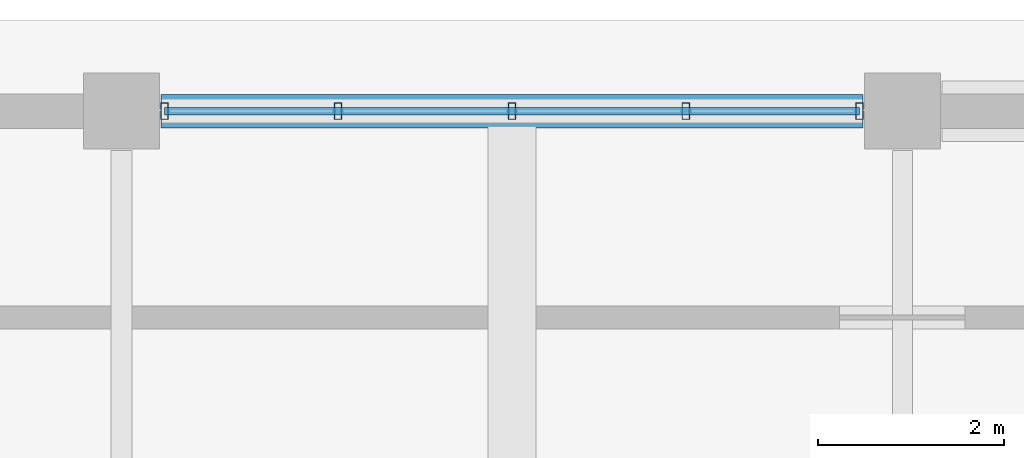
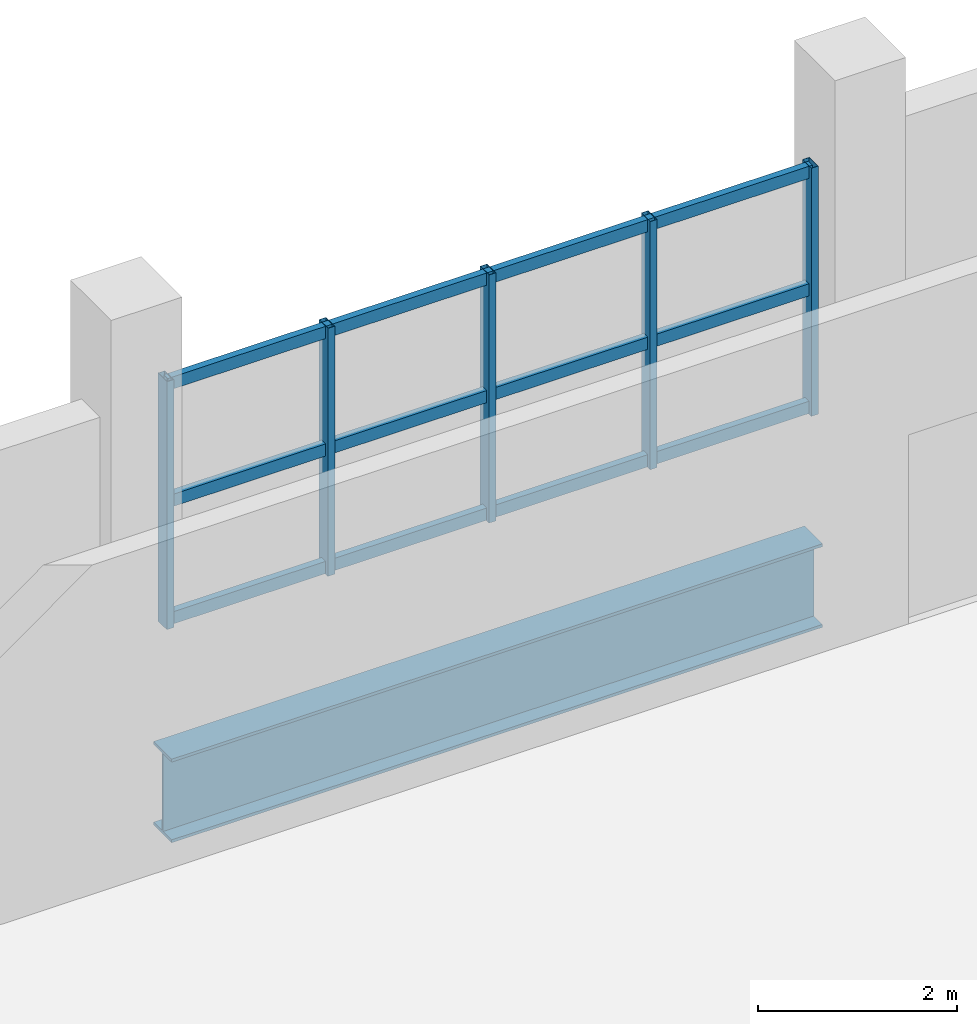
# One storey, part 67 of 107: 8 members, 1 beam, 1 element without a shape of its own.
"""IFC4 building model written with IfcOpenShell, lengths in metres."""

import ifcopenshell
import ifcopenshell.guid

model = None  # the IFC model being written
_history = None  # IfcOwnerHistory: only IFC2X3 demands one
_inside = {}  # id of a spatial element -> (the spatial element, [elements in it])
_under = {}  # id of a project, library or spatial element -> (it, [spatial elements below it])
_declared = {}  # id of a project -> (the project, [libraries it declares])
_typed = {}  # id of a type object -> (the type object, [elements of that type])
_made_of = {}  # id of a material, layer set ... -> (it, [elements and type objects made of it])


def new_model(schema):
    """Start an empty IFC model of exactly this schema.

    Asked for "IFC4X3", IfcOpenShell would pick the latest addendum, in which some entities
    have other attributes; the version numbers below select the first issue.
    IFC2X3 requires an IfcOwnerHistory on every rooted entity: one is made here for all.
    """
    global model, _history
    if schema == "IFC4X3":
        model = ifcopenshell.file(schema_version=(4, 3, 0, 0))
    else:
        model = ifcopenshell.file(schema=schema)
    _inside.clear()
    _under.clear()
    _declared.clear()
    _typed.clear()
    _made_of.clear()
    _history = None
    if model.schema == "IFC2X3":
        org = make("IfcOrganization", Name="unknown")
        user = make(
            "IfcPersonAndOrganization",
            ThePerson=make("IfcPerson", FamilyName="unknown"),
            TheOrganization=org,
        )
        app = make(
            "IfcApplication",
            ApplicationDeveloper=org,
            Version="unknown",
            ApplicationFullName="unknown",
            ApplicationIdentifier="unknown",
        )
        _history = make(
            "IfcOwnerHistory",
            OwningUser=user,
            OwningApplication=app,
            ChangeAction="ADDED",
            CreationDate=0,
        )
    return model


def make(cls, **values):
    """One entity of the class cls with the attributes given. An attribute that is None is left unset."""
    return model.create_entity(
        cls, **{name: value for name, value in values.items() if value is not None}
    )


def rooted(cls, **values):
    """An entity with a GlobalId (a new one), such as an element, a storey or a relation."""
    return make(cls, GlobalId=ifcopenshell.guid.new(), OwnerHistory=_history, **values)


def si_unit(unit_type, name, prefix=None):
    """IfcSIUnit, for example si_unit("LENGTHUNIT", "METRE", prefix="MILLI")."""
    return make("IfcSIUnit", UnitType=unit_type, Prefix=prefix, Name=name)


def assignment(units):
    """IfcUnitAssignment: the units of a project."""
    return None if units is None else make("IfcUnitAssignment", Units=units)


def point(xyz):
    """IfcCartesianPoint."""
    return None if xyz is None else make("IfcCartesianPoint", Coordinates=xyz)


def direction(xyz):
    """IfcDirection."""
    return None if xyz is None else make("IfcDirection", DirectionRatios=xyz)


def frame(location, z_axis=None, x_axis=None):
    """IfcAxis2Placement3D, a coordinate frame: its origin and axes. An axis left out is left unset."""
    return make(
        "IfcAxis2Placement3D",
        Location=point(location),
        Axis=direction(z_axis),
        RefDirection=direction(x_axis),
    )


def frame_2d(location, x_axis=None):
    """IfcAxis2Placement2D, a coordinate frame in the plane: its origin and x axis."""
    return make(
        "IfcAxis2Placement2D", Location=point(location), RefDirection=direction(x_axis)
    )


def origin():
    """The frame at (0, 0, 0) with its axes left unset."""
    return frame((0.0, 0.0, 0.0))


def origin_2d():
    """The frame at (0, 0) in the plane with its x axis left unset."""
    return frame_2d((0.0, 0.0))


def place(relative_to, where):
    """IfcLocalPlacement: puts the frame where relative to a parent placement (None: the world)."""
    return make(
        "IfcLocalPlacement", PlacementRelTo=relative_to, RelativePlacement=where
    )


def context(
    kind, dimensions, precision=None, world=None, true_north=None, identifier=None
):
    """IfcGeometricRepresentationContext, for example the 3D "Model" context."""
    return make(
        "IfcGeometricRepresentationContext",
        ContextIdentifier=identifier,
        ContextType=kind,
        CoordinateSpaceDimension=dimensions,
        Precision=precision,
        WorldCoordinateSystem=world,
        TrueNorth=true_north,
    )


def subcontext(parent, identifier, kind, view, scale=None):
    """IfcGeometricRepresentationSubContext, for example "Body" below "Model"."""
    return make(
        "IfcGeometricRepresentationSubContext",
        ContextIdentifier=identifier,
        ContextType=kind,
        ParentContext=parent,
        TargetScale=scale,
        TargetView=view,
    )


def project(units=None, contexts=None):
    """IfcProject with its units and contexts."""
    return rooted(
        "IfcProject",
        Name="project",
        RepresentationContexts=contexts,
        UnitsInContext=assignment(units),
    )


def spatial(cls, under=None, at=None, **own):
    """A site, building, storey or space (cls), placed at a placement, below another one or the project."""
    s = rooted(cls, ObjectPlacement=at, **own)
    if under is not None:
        _under.setdefault(under.id(), (under, []))[1].append(s)
    return s


def profile(cls, at=None, kind="AREA", **sizes):
    """A parametric profile (cls). Its sizes go by their IFC names, for example OverallWidth=200.0."""
    return make(cls, ProfileType=kind, Position=at, **sizes)


def hollow_rectangle(**sizes):
    """IfcRectangleHollowProfileDef."""
    return profile("IfcRectangleHollowProfileDef", **sizes)


def i_section(**sizes):
    """IfcIShapeProfileDef."""
    return profile("IfcIShapeProfileDef", **sizes)


def extrude(swept, where, along, depth):
    """IfcExtrudedAreaSolid: the profile swept, set in the frame where, extruded along a direction by depth."""
    return make(
        "IfcExtrudedAreaSolid",
        SweptArea=swept,
        Position=where,
        ExtrudedDirection=direction(along),
        Depth=depth,
    )


def shape(context_of_items, identifier, shape_type, items):
    """IfcShapeRepresentation: the items that make up one representation, for example the "Body"."""
    return make(
        "IfcShapeRepresentation",
        ContextOfItems=context_of_items,
        RepresentationIdentifier=identifier,
        RepresentationType=shape_type,
        Items=items,
    )


def material(Name=None, Category=None):
    """IfcMaterial."""
    return make("IfcMaterial", Name=Name, Category=Category)


def material_profile(
    of_material, cross_section, Name=None, Category=None, Priority=None
):
    """IfcMaterialProfile: a cross section and its material."""
    return make(
        "IfcMaterialProfile",
        Name=Name,
        Material=of_material,
        Profile=cross_section,
        Priority=Priority,
        Category=Category,
    )


def profile_set(profiles, Name=None, composite=None):
    """IfcMaterialProfileSet."""
    return make(
        "IfcMaterialProfileSet",
        Name=Name,
        MaterialProfiles=profiles,
        CompositeProfile=composite,
    )


def made_of(thing, what):
    """Note that an element or type object is made of a material, layer set ...; save() writes the relation."""
    if what is not None:
        _made_of.setdefault(what.id(), (what, []))[1].append(thing)
    return thing


def type_object(cls, material=None, **own):
    """A type object (cls), such as IfcWallType, which elements share."""
    return made_of(rooted(cls, **own), material)


def element(
    cls,
    number,
    at=None,
    inside=None,
    cuts=None,
    type_object=None,
    material=None,
    context=None,
    identifier="Body",
    shape_type=None,
    held_by="IfcProductDefinitionShape",
    body=None,
    shapes=None,
    **own,
):
    """One element of the class cls, such as IfcWall. Its Tag is "e" and its number.

    at: its placement. inside: the storey or other place that contains it. cuts: it is an
    opening in that element (IfcRelVoidsElement). A single representation is given by context,
    identifier, shape_type and body (its items); several are given by shapes. held_by: the class
    of the entity that holds the representations. save() writes the other relations.
    """
    e = rooted(cls, Tag="e%d" % number, ObjectPlacement=at, **own)
    if body is not None:
        shapes = [shape(context, identifier, shape_type, body)]
    if shapes is not None:
        e.Representation = make(held_by, Representations=shapes)
    if inside is not None:
        _inside.setdefault(inside.id(), (inside, []))[1].append(e)
    if cuts is not None:
        rooted(
            "IfcRelVoidsElement", RelatingBuildingElement=cuts, RelatedOpeningElement=e
        )
    if type_object is not None:
        _typed.setdefault(type_object.id(), (type_object, []))[1].append(e)
    return made_of(e, material)


def aggregate(whole, parts):
    """IfcRelAggregates: a whole, such as a stair, and the parts it consists of."""
    return rooted("IfcRelAggregates", RelatingObject=whole, RelatedObjects=parts)


def save(model, path):
    """Write the relations noted so far, then the file.

    IfcRelAggregates (storeys below a building ...), IfcRelContainedInSpatialStructure (elements
    in a storey), IfcRelDefinesByType, IfcRelAssociatesMaterial and IfcRelDeclares: one each for
    every whole, place, type object, material and project.
    """
    for whole, parts in _under.values():
        aggregate(whole, parts)
    for where, things in _inside.values():
        rooted(
            "IfcRelContainedInSpatialStructure",
            RelatedElements=things,
            RelatingStructure=where,
        )
    for kind, things in _typed.values():
        rooted("IfcRelDefinesByType", RelatedObjects=things, RelatingType=kind)
    for what, things in _made_of.values():
        rooted("IfcRelAssociatesMaterial", RelatedObjects=things, RelatingMaterial=what)
    for by, libraries in _declared.values():
        rooted("IfcRelDeclares", RelatingContext=by, RelatedDefinitions=libraries)
    model.write(path)


model = new_model("IFC4")

# Units and contexts
model_context = context("Model", 3, precision=1e-05, world=origin(), true_north=direction((0.0, 1.0)))
body_context = subcontext(model_context, "Body", "Model", "MODEL_VIEW")
ifc_project = project(units=[si_unit("LENGTHUNIT", "METRE"), si_unit("AREAUNIT", "SQUARE_METRE"), si_unit("VOLUMEUNIT", "CUBIC_METRE"), si_unit("PLANEANGLEUNIT", "RADIAN"), si_unit("MASSUNIT", "GRAM", prefix="KILO")], contexts=[model_context])

# Site, building, storey
site_placement = place(None, origin())
site = spatial("IfcSite", under=ifc_project, at=site_placement, CompositionType="ELEMENT")
building_placement = place(site_placement, origin())
building = spatial("IfcBuilding", under=site, at=building_placement, Name="Solvento Point Concert Hall", CompositionType="ELEMENT")
storey_placement = place(building_placement, origin())
storey = spatial("IfcBuildingStorey", under=building, at=storey_placement, Name="L00", CompositionType="ELEMENT", Elevation=0.0)

# Beam
ifc_material_1 = material(Name="Structural Steel ASTM A992 Grade 50", Category="steel")
ifc_material_profile_1 = material_profile(ifc_material_1, i_section(OverallWidth=0.361083984375, OverallDepth=1.02587890625, WebThickness=0.01904296875, FlangeThickness=0.0361328125, at=origin_2d()), Name="W40X249")
ifc_profile_set_1 = profile_set([ifc_material_profile_1], Name="Structural Steel ASTM A992 Grade 50")
beam_type = type_object("IfcBeamType", Name="Girder_W40X249", PredefinedType="USERDEFINED", material=ifc_profile_set_1)
beam_placement = place(storey_placement, frame((32.823974609375, 136.0, -0.927001953125), z_axis=(1.0, 0.0, 0.0), x_axis=(0.0, 1.0, 0.0)))
element("IfcBeam", 1, at=beam_placement, inside=storey, type_object=beam_type, Name="Primary girder B-29 L00", ObjectType="GIRDER", PredefinedType="USERDEFINED", context=body_context, shape_type="SweptSolid", body=[
    extrude(i_section(OverallWidth=0.361083984375, OverallDepth=1.02587890625, WebThickness=0.01904296875, FlangeThickness=0.0361328125, at=origin_2d()), origin(), (0.0, 0.0, 1.0), 7.552001953125),
])

# Curtain wall, members
ifc_material_2 = material(Name="Anodized Bronze Aluminium", Category="aluminium")
curtain_wall_type = type_object("IfcCurtainWallType", Name="CurtainWall_CourtPilotis", PredefinedType="USERDEFINED", material=ifc_material_2)
curtain_wall_placement = place(storey_placement, origin())
curtain_wall = element("IfcCurtainWall", 2, at=curtain_wall_placement, inside=storey, type_object=curtain_wall_type, Name="Unitised curtain wall CW-96 UCW-L00-029", ObjectType="UNITISED CURTAIN WALL", PredefinedType="USERDEFINED")
ifc_material_3 = material(Name="Anodized Bronze Aluminium", Category="aluminium")
ifc_material_profile_2 = material_profile(ifc_material_3, hollow_rectangle(XDim=0.080078125, YDim=0.179931640625, WallThickness=0.00390625, at=origin_2d()), Name="CW-MUL-80X180")
ifc_profile_set_2 = profile_set([ifc_material_profile_2], Name="Anodized Bronze Aluminium")
member_type_1 = type_object("IfcMemberType", Name="Mullion_80x180", PredefinedType="MULLION", material=ifc_profile_set_2)
member_1_placement = place(storey_placement, frame((32.860107421875, 136.0, 1.1201171875), z_axis=(0.0, 0.0, 1.0), x_axis=(1.0, 0.0, 0.0)))
member_1 = element("IfcMember", 3, at=member_1_placement, type_object=member_type_1, Name="Curtain wall mullion ML-01", PredefinedType="MULLION", context=body_context, shape_type="SweptSolid", body=[
    extrude(hollow_rectangle(XDim=0.080078125, YDim=0.179931640625, WallThickness=0.00390625, at=origin_2d()), origin(), (0.0, 0.0, 1.0), 3.0439453125),
])
member_2_placement = place(storey_placement, frame((34.72998046875, 136.0, 1.1201171875), z_axis=(0.0, 0.0, 1.0), x_axis=(1.0, 0.0, 0.0)))
member_2 = element("IfcMember", 4, at=member_2_placement, type_object=member_type_1, Name="Curtain wall mullion ML-01", PredefinedType="MULLION", context=body_context, shape_type="SweptSolid", body=[
    extrude(hollow_rectangle(XDim=0.080078125, YDim=0.179931640625, WallThickness=0.00390625, at=origin_2d()), origin(), (0.0, 0.0, 1.0), 3.0439453125),
])
member_3_placement = place(storey_placement, frame((36.60009765625, 136.0, 1.1201171875), z_axis=(0.0, 0.0, 1.0), x_axis=(1.0, 0.0, 0.0)))
member_3 = element("IfcMember", 5, at=member_3_placement, type_object=member_type_1, Name="Curtain wall mullion ML-01", PredefinedType="MULLION", context=body_context, shape_type="SweptSolid", body=[
    extrude(hollow_rectangle(XDim=0.080078125, YDim=0.179931640625, WallThickness=0.00390625, at=origin_2d()), origin(), (0.0, 0.0, 1.0), 3.0439453125),
])
member_4_placement = place(storey_placement, frame((38.469970703125, 136.0, 1.1201171875), z_axis=(0.0, 0.0, 1.0), x_axis=(1.0, 0.0, 0.0)))
member_4 = element("IfcMember", 6, at=member_4_placement, type_object=member_type_1, Name="Curtain wall mullion ML-01", PredefinedType="MULLION", context=body_context, shape_type="SweptSolid", body=[
    extrude(hollow_rectangle(XDim=0.080078125, YDim=0.179931640625, WallThickness=0.00390625, at=origin_2d()), origin(), (0.0, 0.0, 1.0), 3.0439453125),
])
member_5_placement = place(storey_placement, frame((40.340087890625, 136.0, 1.1201171875), z_axis=(0.0, 0.0, 1.0), x_axis=(1.0, 0.0, 0.0)))
member_5 = element("IfcMember", 7, at=member_5_placement, type_object=member_type_1, Name="Curtain wall mullion ML-01", PredefinedType="MULLION", context=body_context, shape_type="SweptSolid", body=[
    extrude(hollow_rectangle(XDim=0.080078125, YDim=0.179931640625, WallThickness=0.00390625, at=origin_2d()), origin(), (0.0, 0.0, 1.0), 3.0439453125),
])
ifc_material_4 = material(Name="Anodized Bronze Aluminium", Category="aluminium")
ifc_material_profile_3 = material_profile(ifc_material_4, hollow_rectangle(XDim=0.080078125, YDim=0.14990234375, WallThickness=0.00390625, at=origin_2d()), Name="CW-TRN-80X150")
ifc_profile_set_3 = profile_set([ifc_material_profile_3], Name="Anodized Bronze Aluminium")
member_type_2 = type_object("IfcMemberType", Name="Transom_80x150", PredefinedType="USERDEFINED", material=ifc_profile_set_3)
member_6_placement = place(storey_placement, frame((32.860107421875, 136.0, 1.199951171875), z_axis=(1.0, 0.0, 0.0), x_axis=(0.0, 1.0, 0.0)))
member_6 = element("IfcMember", 8, at=member_6_placement, type_object=member_type_2, Name="Curtain wall transom TR-01", ObjectType="TRANSOM", PredefinedType="USERDEFINED", context=body_context, shape_type="SweptSolid", body=[
    extrude(hollow_rectangle(XDim=0.080078125, YDim=0.14990234375, WallThickness=0.00390625, at=origin_2d()), origin(), (0.0, 0.0, 1.0), 7.47998046875),
])
member_7_placement = place(storey_placement, frame((32.860107421875, 136.0, 2.64208984375), z_axis=(1.0, 0.0, 0.0), x_axis=(0.0, 1.0, 0.0)))
member_7 = element("IfcMember", 9, at=member_7_placement, type_object=member_type_2, Name="Curtain wall transom TR-01", ObjectType="TRANSOM", PredefinedType="USERDEFINED", context=body_context, shape_type="SweptSolid", body=[
    extrude(hollow_rectangle(XDim=0.080078125, YDim=0.14990234375, WallThickness=0.00390625, at=origin_2d()), origin(), (0.0, 0.0, 1.0), 7.47998046875),
])
member_8_placement = place(storey_placement, frame((32.860107421875, 136.0, 4.083984375), z_axis=(1.0, 0.0, 0.0), x_axis=(0.0, 1.0, 0.0)))
member_8 = element("IfcMember", 10, at=member_8_placement, type_object=member_type_2, Name="Curtain wall transom TR-01", ObjectType="TRANSOM", PredefinedType="USERDEFINED", context=body_context, shape_type="SweptSolid", body=[
    extrude(hollow_rectangle(XDim=0.080078125, YDim=0.14990234375, WallThickness=0.00390625, at=origin_2d()), origin(), (0.0, 0.0, 1.0), 7.47998046875),
])
aggregate(curtain_wall, [member_1, member_2, member_3, member_4, member_5, member_6, member_7, member_8])

save(model, "model.ifc")
